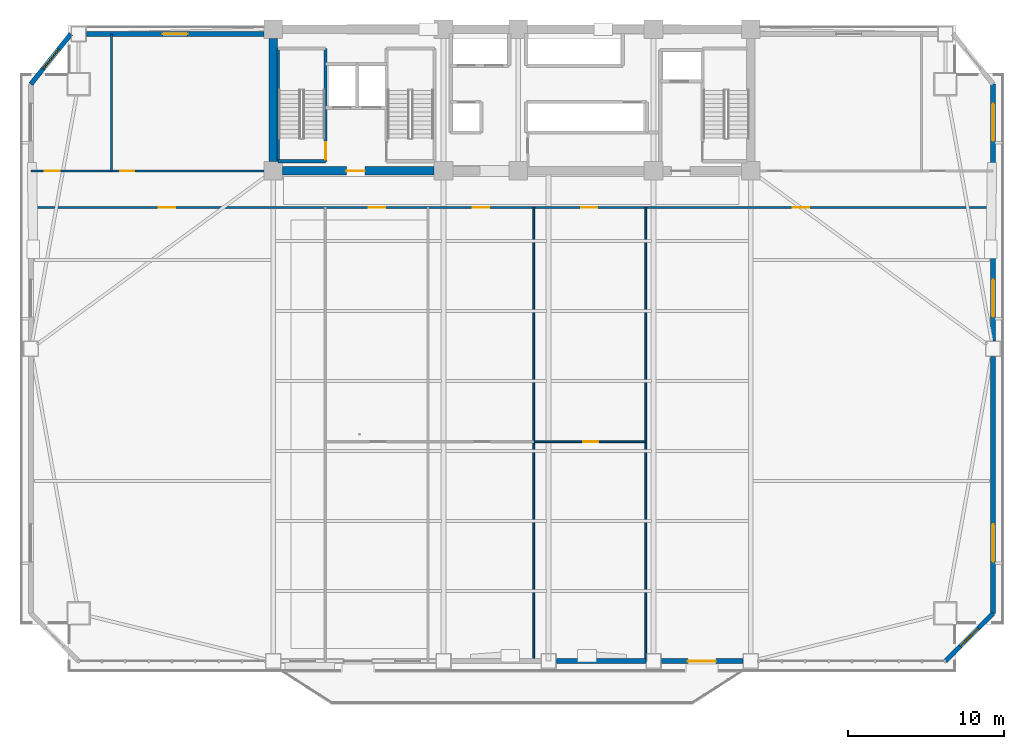
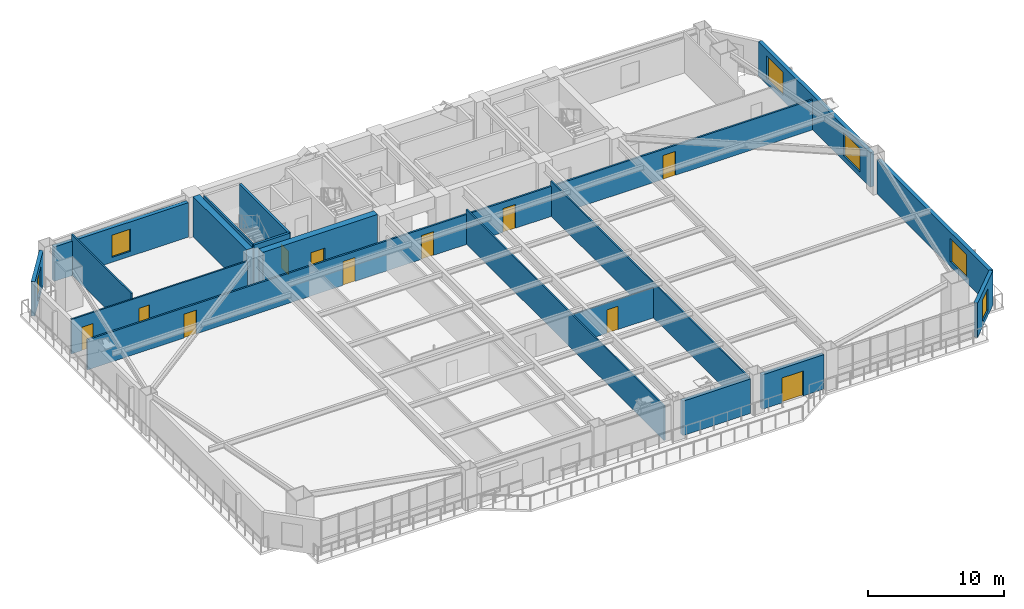
# One storey, part 8 of 16: 18 walls, 11 doors, 6 windows, 17 openings.
"""IFC4 building model written with IfcOpenShell, lengths in metres."""

import ifcopenshell
import ifcopenshell.guid

model = None  # the IFC model being written
_history = None  # IfcOwnerHistory: only IFC2X3 demands one
_inside = {}  # id of a spatial element -> (the spatial element, [elements in it])
_under = {}  # id of a project, library or spatial element -> (it, [spatial elements below it])
_declared = {}  # id of a project -> (the project, [libraries it declares])
_typed = {}  # id of a type object -> (the type object, [elements of that type])
_made_of = {}  # id of a material, layer set ... -> (it, [elements and type objects made of it])


def new_model(schema):
    """Start an empty IFC model of exactly this schema.

    Asked for "IFC4X3", IfcOpenShell would pick the latest addendum, in which some entities
    have other attributes; the version numbers below select the first issue.
    IFC2X3 requires an IfcOwnerHistory on every rooted entity: one is made here for all.
    """
    global model, _history
    if schema == "IFC4X3":
        model = ifcopenshell.file(schema_version=(4, 3, 0, 0))
    else:
        model = ifcopenshell.file(schema=schema)
    _inside.clear()
    _under.clear()
    _declared.clear()
    _typed.clear()
    _made_of.clear()
    _history = None
    if model.schema == "IFC2X3":
        org = make("IfcOrganization", Name="unknown")
        user = make(
            "IfcPersonAndOrganization",
            ThePerson=make("IfcPerson", FamilyName="unknown"),
            TheOrganization=org,
        )
        app = make(
            "IfcApplication",
            ApplicationDeveloper=org,
            Version="unknown",
            ApplicationFullName="unknown",
            ApplicationIdentifier="unknown",
        )
        _history = make(
            "IfcOwnerHistory",
            OwningUser=user,
            OwningApplication=app,
            ChangeAction="ADDED",
            CreationDate=0,
        )
    return model


def make(cls, **values):
    """One entity of the class cls with the attributes given. An attribute that is None is left unset."""
    return model.create_entity(
        cls, **{name: value for name, value in values.items() if value is not None}
    )


def rooted(cls, **values):
    """An entity with a GlobalId (a new one), such as an element, a storey or a relation."""
    return make(cls, GlobalId=ifcopenshell.guid.new(), OwnerHistory=_history, **values)


def si_unit(unit_type, name, prefix=None):
    """IfcSIUnit, for example si_unit("LENGTHUNIT", "METRE", prefix="MILLI")."""
    return make("IfcSIUnit", UnitType=unit_type, Prefix=prefix, Name=name)


def assignment(units):
    """IfcUnitAssignment: the units of a project."""
    return None if units is None else make("IfcUnitAssignment", Units=units)


def point(xyz):
    """IfcCartesianPoint."""
    return None if xyz is None else make("IfcCartesianPoint", Coordinates=xyz)


def direction(xyz):
    """IfcDirection."""
    return None if xyz is None else make("IfcDirection", DirectionRatios=xyz)


def frame(location, z_axis=None, x_axis=None):
    """IfcAxis2Placement3D, a coordinate frame: its origin and axes. An axis left out is left unset."""
    return make(
        "IfcAxis2Placement3D",
        Location=point(location),
        Axis=direction(z_axis),
        RefDirection=direction(x_axis),
    )


def frame_2d(location, x_axis=None):
    """IfcAxis2Placement2D, a coordinate frame in the plane: its origin and x axis."""
    return make(
        "IfcAxis2Placement2D", Location=point(location), RefDirection=direction(x_axis)
    )


def origin():
    """The frame at (0, 0, 0) with its axes left unset."""
    return frame((0.0, 0.0, 0.0))


def place(relative_to, where):
    """IfcLocalPlacement: puts the frame where relative to a parent placement (None: the world)."""
    return make(
        "IfcLocalPlacement", PlacementRelTo=relative_to, RelativePlacement=where
    )


def context(
    kind, dimensions, precision=None, world=None, true_north=None, identifier=None
):
    """IfcGeometricRepresentationContext, for example the 3D "Model" context."""
    return make(
        "IfcGeometricRepresentationContext",
        ContextIdentifier=identifier,
        ContextType=kind,
        CoordinateSpaceDimension=dimensions,
        Precision=precision,
        WorldCoordinateSystem=world,
        TrueNorth=true_north,
    )


def subcontext(parent, identifier, kind, view, scale=None):
    """IfcGeometricRepresentationSubContext, for example "Body" below "Model"."""
    return make(
        "IfcGeometricRepresentationSubContext",
        ContextIdentifier=identifier,
        ContextType=kind,
        ParentContext=parent,
        TargetScale=scale,
        TargetView=view,
    )


def project(units=None, contexts=None):
    """IfcProject with its units and contexts."""
    return rooted(
        "IfcProject",
        Name="project",
        RepresentationContexts=contexts,
        UnitsInContext=assignment(units),
    )


def spatial(cls, under=None, at=None, **own):
    """A site, building, storey or space (cls), placed at a placement, below another one or the project."""
    s = rooted(cls, ObjectPlacement=at, **own)
    if under is not None:
        _under.setdefault(under.id(), (under, []))[1].append(s)
    return s


def profile(cls, at=None, kind="AREA", **sizes):
    """A parametric profile (cls). Its sizes go by their IFC names, for example OverallWidth=200.0."""
    return make(cls, ProfileType=kind, Position=at, **sizes)


def rectangle(**sizes):
    """IfcRectangleProfileDef."""
    return profile("IfcRectangleProfileDef", **sizes)


def extrude(swept, where, along, depth):
    """IfcExtrudedAreaSolid: the profile swept, set in the frame where, extruded along a direction by depth."""
    return make(
        "IfcExtrudedAreaSolid",
        SweptArea=swept,
        Position=where,
        ExtrudedDirection=direction(along),
        Depth=depth,
    )


def shape(context_of_items, identifier, shape_type, items):
    """IfcShapeRepresentation: the items that make up one representation, for example the "Body"."""
    return make(
        "IfcShapeRepresentation",
        ContextOfItems=context_of_items,
        RepresentationIdentifier=identifier,
        RepresentationType=shape_type,
        Items=items,
    )


def source(mapping_origin, context_of_items, identifier, shape_type, items):
    """IfcRepresentationMap: a shape defined once, which mapped items show again and again."""
    return make(
        "IfcRepresentationMap",
        MappingOrigin=mapping_origin,
        MappedRepresentation=shape(context_of_items, identifier, shape_type, items),
    )


def transform(
    local_origin,
    x_axis=None,
    y_axis=None,
    z_axis=None,
    scale=None,
    scale2=None,
    scale3=None,
    uniform=True,
):
    """IfcCartesianTransformationOperator3D, or its non-uniform kind. x_axis, y_axis, z_axis: its Axis1, 2, 3."""
    if uniform:
        return make(
            "IfcCartesianTransformationOperator3D",
            Axis1=direction(x_axis),
            Axis2=direction(y_axis),
            LocalOrigin=point(local_origin),
            Scale=scale,
            Axis3=direction(z_axis),
        )
    return make(
        "IfcCartesianTransformationOperator3DnonUniform",
        Axis1=direction(x_axis),
        Axis2=direction(y_axis),
        LocalOrigin=point(local_origin),
        Scale=scale,
        Axis3=direction(z_axis),
        Scale2=scale2,
        Scale3=scale3,
    )


def mapped(mapping_source, mapping_target):
    """IfcMappedItem: shows the shape of a source again, moved by a transform."""
    return make(
        "IfcMappedItem", MappingSource=mapping_source, MappingTarget=mapping_target
    )


def material(Name=None, Category=None):
    """IfcMaterial."""
    return make("IfcMaterial", Name=Name, Category=Category)


def layer(
    of_material, thickness, ventilated=None, Name=None, Category=None, Priority=None
):
    """IfcMaterialLayer: one layer of a wall or slab, of a material (None: an air gap)."""
    return make(
        "IfcMaterialLayer",
        Material=of_material,
        LayerThickness=thickness,
        IsVentilated=ventilated,
        Name=Name,
        Category=Category,
        Priority=Priority,
    )


def layer_set(layers, Name=None):
    """IfcMaterialLayerSet."""
    return make("IfcMaterialLayerSet", MaterialLayers=layers, LayerSetName=Name)


def made_of(thing, what):
    """Note that an element or type object is made of a material, layer set ...; save() writes the relation."""
    if what is not None:
        _made_of.setdefault(what.id(), (what, []))[1].append(thing)
    return thing


def type_object(cls, material=None, **own):
    """A type object (cls), such as IfcWallType, which elements share."""
    return made_of(rooted(cls, **own), material)


def element(
    cls,
    number,
    at=None,
    inside=None,
    cuts=None,
    type_object=None,
    material=None,
    context=None,
    identifier="Body",
    shape_type=None,
    held_by="IfcProductDefinitionShape",
    body=None,
    shapes=None,
    **own,
):
    """One element of the class cls, such as IfcWall. Its Tag is "e" and its number.

    at: its placement. inside: the storey or other place that contains it. cuts: it is an
    opening in that element (IfcRelVoidsElement). A single representation is given by context,
    identifier, shape_type and body (its items); several are given by shapes. held_by: the class
    of the entity that holds the representations. save() writes the other relations.
    """
    e = rooted(cls, Tag="e%d" % number, ObjectPlacement=at, **own)
    if body is not None:
        shapes = [shape(context, identifier, shape_type, body)]
    if shapes is not None:
        e.Representation = make(held_by, Representations=shapes)
    if inside is not None:
        _inside.setdefault(inside.id(), (inside, []))[1].append(e)
    if cuts is not None:
        rooted(
            "IfcRelVoidsElement", RelatingBuildingElement=cuts, RelatedOpeningElement=e
        )
    if type_object is not None:
        _typed.setdefault(type_object.id(), (type_object, []))[1].append(e)
    return made_of(e, material)


def fill(opening, filler):
    """IfcRelFillsElement: the door or window that sits in an opening."""
    return rooted(
        "IfcRelFillsElement",
        RelatingOpeningElement=opening,
        RelatedBuildingElement=filler,
    )


def aggregate(whole, parts):
    """IfcRelAggregates: a whole, such as a stair, and the parts it consists of."""
    return rooted("IfcRelAggregates", RelatingObject=whole, RelatedObjects=parts)


def save(model, path):
    """Write the relations noted so far, then the file.

    IfcRelAggregates (storeys below a building ...), IfcRelContainedInSpatialStructure (elements
    in a storey), IfcRelDefinesByType, IfcRelAssociatesMaterial and IfcRelDeclares: one each for
    every whole, place, type object, material and project.
    """
    for whole, parts in _under.values():
        aggregate(whole, parts)
    for where, things in _inside.values():
        rooted(
            "IfcRelContainedInSpatialStructure",
            RelatedElements=things,
            RelatingStructure=where,
        )
    for kind, things in _typed.values():
        rooted("IfcRelDefinesByType", RelatedObjects=things, RelatingType=kind)
    for what, things in _made_of.values():
        rooted("IfcRelAssociatesMaterial", RelatedObjects=things, RelatingMaterial=what)
    for by, libraries in _declared.values():
        rooted("IfcRelDeclares", RelatingContext=by, RelatedDefinitions=libraries)
    model.write(path)


model = new_model("IFC4")

# Units and contexts
model_context = context("Model", 3, precision=1e-05, world=origin(), true_north=direction((0.0, 1.0)))
body_context = subcontext(model_context, "Body", "Model", "MODEL_VIEW")
ifc_project = project(units=[si_unit("LENGTHUNIT", "METRE"), si_unit("AREAUNIT", "SQUARE_METRE"), si_unit("VOLUMEUNIT", "CUBIC_METRE"), si_unit("PLANEANGLEUNIT", "RADIAN"), si_unit("MASSUNIT", "GRAM", prefix="KILO")], contexts=[model_context])

# Site, building, storey
site_placement = place(None, origin())
site = spatial("IfcSite", under=ifc_project, at=site_placement, CompositionType="ELEMENT")
building_placement = place(site_placement, origin())
building = spatial("IfcBuilding", under=site, at=building_placement, Name="Giltprow Tower", CompositionType="ELEMENT")
storey_placement = place(building_placement, frame((0.0, 0.0, 91.300048828125)))
storey = spatial("IfcBuildingStorey", under=building, at=storey_placement, Name="L22", CompositionType="ELEMENT", Elevation=91.300048828125)

# Wall, opening, window
ifc_material_1 = material(Name="Precast concrete C40", Category="concrete")
ifc_layer_1 = layer(ifc_material_1, 0.300048828125, Name="Precast concrete C40")
ifc_layer_set_1 = layer_set([ifc_layer_1], Name="Precast concrete C40")
wall_type_1 = type_object("IfcWallType", Name="EW-NOTCH-CHAMFER-300", PredefinedType="SOLIDWALL", material=ifc_layer_set_1)
wall_1_placement = place(storey_placement, frame((63.055908203125, 5.93603515625, 0.0), z_axis=(0.0, 0.0, 1.0), x_axis=(0.707106781187, 0.707106781187, 0.0)))
wall_1 = element("IfcWall", 1, at=wall_1_placement, inside=storey, type_object=wall_type_1, Name="L22 Corner Notch Wall SE", PredefinedType="SOLIDWALL", context=body_context, shape_type="SweptSolid", body=[
    extrude(rectangle(XDim=4.341796875, YDim=0.300048828125, at=frame_2d((2.1708984375, 0.0))), origin(), (0.0, 0.0, 1.0), 3.099853515625),
])
opening_1_placement = place(wall_1_placement, frame((1.37109375, 0.0, 0.449951171875)))
opening_1 = element("IfcOpeningElement", 2, at=opening_1_placement, cuts=wall_1, Name="Opening WN17", PredefinedType="OPENING", context=body_context, shape_type="SweptSolid", body=[
    extrude(rectangle(XDim=1.60009765625, YDim=2.0, at=frame_2d((0.800048828125, 1.0))), frame((0.0, 0.159912109375, 0.0), z_axis=(0.0, -1.0, 0.0), x_axis=(1.0, 0.0, 0.0)), (0.0, 0.0, 1.0), 0.320068359375),
])
ifc_material_2 = material(Name="Insulated glass", Category="glass")
window_type_1 = type_object("IfcWindowType", Name="WN-COR-1600x2000", PartitioningType="SINGLE_PANEL", PredefinedType="WINDOW", material=ifc_material_2)
shared_shape_1 = source(origin(), body_context, "Body", "SweptSolid", [
    extrude(rectangle(XDim=1.60009765625, YDim=2.0, at=frame_2d((0.800048828125, 1.0))), frame((0.0, 0.030029296875, 0.0), z_axis=(0.0, -1.0, 0.0), x_axis=(1.0, 0.0, 0.0)), (0.0, 0.0, 1.0), 0.06005859375),
])
window_1_placement = place(opening_1_placement, origin())
window_1 = element("IfcWindow", 3, at=window_1_placement, inside=storey, type_object=window_type_1, Name="L22 Corner Notch Window SE", OverallHeight=2.0, OverallWidth=1.60009765625, PartitioningType="SINGLE_PANEL", PredefinedType="WINDOW", context=body_context, shape_type="MappedRepresentation", body=[
    mapped(shared_shape_1, transform((0.0, 0.0, 0.0), x_axis=(1.0, 0.0, 0.0), y_axis=(0.0, 1.0, 0.0), z_axis=(0.0, 0.0, 1.0), scale=1.0)),
])
fill(opening_1, window_1)

wall_2_placement = place(storey_placement, frame((6.844970703125, 46.25, 0.0), z_axis=(0.0, 0.0, 1.0), x_axis=(-0.623820223262, -0.781567865926, 0.0)))
wall_2 = element("IfcWall", 4, at=wall_2_placement, inside=storey, type_object=wall_type_1, Name="L22 Corner Notch Wall NW", PredefinedType="SOLIDWALL", context=body_context, shape_type="SweptSolid", body=[
    extrude(rectangle(XDim=4.119873046875, YDim=0.300048828125, at=frame_2d((2.06005859375, 0.0))), origin(), (0.0, 0.0, 1.0), 3.099853515625),
])
opening_2_placement = place(wall_2_placement, frame((1.260009765625, 0.0, 0.449951171875)))
opening_2 = element("IfcOpeningElement", 5, at=opening_2_placement, cuts=wall_2, Name="Opening WN17", PredefinedType="OPENING", context=body_context, shape_type="SweptSolid", body=[
    extrude(rectangle(XDim=1.60009765625, YDim=2.0, at=frame_2d((0.800048828125, 1.0))), frame((0.0, 0.159912109375, 0.0), z_axis=(0.0, -1.0, 0.0), x_axis=(1.0, 0.0, 0.0)), (0.0, 0.0, 1.0), 0.320068359375),
])
window_2_placement = place(opening_2_placement, origin())
window_2 = element("IfcWindow", 6, at=window_2_placement, inside=storey, type_object=window_type_1, Name="L22 Corner Notch Window NW", OverallHeight=2.0, OverallWidth=1.60009765625, PartitioningType="SINGLE_PANEL", PredefinedType="WINDOW", context=body_context, shape_type="MappedRepresentation", body=[
    mapped(shared_shape_1, transform((0.0, 0.0, 0.0), x_axis=(1.0, 0.0, 0.0), y_axis=(0.0, 1.0, 0.0), z_axis=(0.0, 0.0, 1.0), scale=1.0)),
])
fill(opening_2, window_2)

# Wall
ifc_layer_2 = layer(ifc_material_1, 0.320068359375, Name="Precast concrete C40")
ifc_layer_set_2 = layer_set([ifc_layer_2], Name="Precast concrete C40")
wall_type_2 = type_object("IfcWallType", Name="EW-TOW-STONE-320", PredefinedType="SOLIDWALL", material=ifc_layer_set_2)
wall_3_placement = place(storey_placement, frame((38.050048828125, 5.93603515625, 0.0), z_axis=(0.0, 0.0, 1.0), x_axis=(1.0, 0.0, 0.0)))
element("IfcWall", 7, at=wall_3_placement, inside=storey, type_object=wall_type_2, Name="L22 South Expressed Frame Wall 4", PredefinedType="SOLIDWALL", context=body_context, shape_type="SweptSolid", body=[
    extrude(rectangle(XDim=5.75, YDim=0.320068359375, at=frame_2d((2.875, 0.0))), origin(), (0.0, 0.0, 1.0), 3.099853515625),
])

# Wall, opening, door
wall_4_placement = place(storey_placement, frame((44.800048828125, 5.93603515625, 0.0), z_axis=(0.0, 0.0, 1.0), x_axis=(1.0, 0.0, 0.0)))
wall_4 = element("IfcWall", 8, at=wall_4_placement, inside=storey, type_object=wall_type_2, Name="L22 South Expressed Frame Wall 5", PredefinedType="SOLIDWALL", context=body_context, shape_type="SweptSolid", body=[
    extrude(rectangle(XDim=5.25, YDim=0.320068359375, at=frame_2d((2.625, 0.0))), origin(), (0.0, 0.0, 1.0), 3.099853515625),
])
opening_3_placement = place(wall_4_placement, frame((1.699951171875, 0.0, 0.0)))
opening_3 = element("IfcOpeningElement", 9, at=opening_3_placement, cuts=wall_4, Name="Opening ED25", PredefinedType="OPENING", context=body_context, shape_type="SweptSolid", body=[
    extrude(rectangle(XDim=1.800048828125, YDim=2.25, at=frame_2d((0.89990234375, 1.125))), frame((0.0, 0.169921875, 0.0), z_axis=(0.0, -1.0, 0.0), x_axis=(1.0, 0.0, 0.0)), (0.0, 0.0, 1.0), 0.340087890625),
])
ifc_material_3 = material(Name="Anodized bronze and glass", Category="glass")
door_type_1 = type_object("IfcDoorType", Name="DR-BALC-SLIDE-1800", OperationType="SLIDING_TO_LEFT", PredefinedType="DOOR", material=ifc_material_3)
shared_shape_2 = source(origin(), body_context, "Body", "SweptSolid", [
    extrude(rectangle(XDim=1.800048828125, YDim=2.25, at=frame_2d((0.89990234375, 1.125))), frame((0.0, 0.02490234375, 0.0), z_axis=(0.0, -1.0, 0.0), x_axis=(1.0, 0.0, 0.0)), (0.0, 0.0, 1.0), 0.050048828125),
])
door_1_placement = place(opening_3_placement, origin())
door_1 = element("IfcDoor", 10, at=door_1_placement, inside=storey, type_object=door_type_1, Name="L22 Waterfront Balcony Sliding Door 2", OperationType="SLIDING_TO_LEFT", OverallHeight=2.25, OverallWidth=1.800048828125, PredefinedType="DOOR", context=body_context, shape_type="MappedRepresentation", body=[
    mapped(shared_shape_2, transform((0.0, 0.0, 0.0), x_axis=(1.0, 0.0, 0.0), y_axis=(0.0, 1.0, 0.0), z_axis=(0.0, 0.0, 1.0), scale=1.0)),
])
fill(opening_3, door_1)

# Wall, opening, window
wall_5_placement = place(storey_placement, frame((66.1259765625, 9.006103515625, 0.0), z_axis=(0.0, 0.0, 1.0), x_axis=(0.0, 1.0, 0.0)))
wall_5 = element("IfcWall", 11, at=wall_5_placement, inside=storey, type_object=wall_type_2, Name="L22 E Wing Masonry Wall 1", PredefinedType="SOLIDWALL", context=body_context, shape_type="SweptSolid", body=[
    extrude(rectangle(XDim=16.511962890625, YDim=0.320068359375, at=frame_2d((8.255859375, 0.0))), origin(), (0.0, 0.0, 1.0), 3.099853515625),
])
opening_4_placement = place(wall_5_placement, frame((3.3330078125, 0.0, 0.449951171875)))
opening_4 = element("IfcOpeningElement", 12, at=opening_4_placement, cuts=wall_5, Name="Opening WN29", PredefinedType="OPENING", context=body_context, shape_type="SweptSolid", body=[
    extrude(rectangle(XDim=2.39990234375, YDim=2.10009765625, at=frame_2d((1.199951171875, 1.050048828125))), frame((0.0, 0.169921875, 0.0), z_axis=(0.0, -1.0, 0.0), x_axis=(1.0, 0.0, 0.0)), (0.0, 0.0, 1.0), 0.340087890625),
])
window_type_2 = type_object("IfcWindowType", Name="WN-OFF-2400x2100", PartitioningType="DOUBLE_PANEL_VERTICAL", PredefinedType="WINDOW", material=ifc_material_2)
shared_shape_3 = source(origin(), body_context, "Body", "SweptSolid", [
    extrude(rectangle(XDim=2.39990234375, YDim=2.10009765625, at=frame_2d((1.199951171875, 1.050048828125))), frame((0.0, 0.030029296875, 0.0), z_axis=(0.0, -1.0, 0.0), x_axis=(1.0, 0.0, 0.0)), (0.0, 0.0, 1.0), 0.06005859375),
])
window_3_placement = place(opening_4_placement, origin())
window_3 = element("IfcWindow", 13, at=window_3_placement, inside=storey, type_object=window_type_2, Name="L22 E Wing Window 1-1A", OverallHeight=2.10009765625, OverallWidth=2.39990234375, PartitioningType="SINGLE_PANEL", PredefinedType="WINDOW", context=body_context, shape_type="MappedRepresentation", body=[
    mapped(shared_shape_3, transform((0.0, 0.0, 0.0), x_axis=(1.0, 0.0, 0.0), y_axis=(0.0, 1.0, 0.0), z_axis=(0.0, 0.0, 1.0), scale=1.0)),
])
fill(opening_4, window_3)

# Wall, openings, windows
wall_6_placement = place(storey_placement, frame((66.1259765625, 26.51806640625, 0.0), z_axis=(0.0, 0.0, 1.0), x_axis=(0.0, 1.0, 0.0)))
wall_6 = element("IfcWall", 14, at=wall_6_placement, inside=storey, type_object=wall_type_2, Name="L22 E Wing Masonry Wall 2", PredefinedType="SOLIDWALL", context=body_context, shape_type="SweptSolid", body=[
    extrude(rectangle(XDim=16.511962890625, YDim=0.320068359375, at=frame_2d((8.255859375, 0.0))), origin(), (0.0, 0.0, 1.0), 3.099853515625),
])
opening_5_placement = place(wall_6_placement, frame((1.544921875, 0.0, 0.449951171875)))
opening_5 = element("IfcOpeningElement", 15, at=opening_5_placement, cuts=wall_6, Name="Opening WN29", PredefinedType="OPENING", context=body_context, shape_type="SweptSolid", body=[
    extrude(rectangle(XDim=2.39990234375, YDim=2.10009765625, at=frame_2d((1.199951171875, 1.050048828125))), frame((0.0, 0.169921875, 0.0), z_axis=(0.0, -1.0, 0.0), x_axis=(1.0, 0.0, 0.0)), (0.0, 0.0, 1.0), 0.340087890625),
])
opening_6_placement = place(wall_6_placement, frame((12.85595703125, 0.0, 0.449951171875)))
opening_6 = element("IfcOpeningElement", 16, at=opening_6_placement, cuts=wall_6, Name="Opening WN29", PredefinedType="OPENING", context=body_context, shape_type="SweptSolid", body=[
    extrude(rectangle(XDim=2.39990234375, YDim=2.10009765625, at=frame_2d((1.199951171875, 1.050048828125))), frame((0.0, 0.169921875, 0.0), z_axis=(0.0, -1.0, 0.0), x_axis=(1.0, 0.0, 0.0)), (0.0, 0.0, 1.0), 0.340087890625),
])
window_4_placement = place(opening_5_placement, origin())
window_4 = element("IfcWindow", 17, at=window_4_placement, inside=storey, type_object=window_type_2, Name="L22 E Wing Window 2-1", OverallHeight=2.10009765625, OverallWidth=2.39990234375, PartitioningType="SINGLE_PANEL", PredefinedType="WINDOW", context=body_context, shape_type="MappedRepresentation", body=[
    mapped(shared_shape_3, transform((0.0, 0.0, 0.0), x_axis=(1.0, 0.0, 0.0), y_axis=(0.0, 1.0, 0.0), z_axis=(0.0, 0.0, 1.0), scale=1.0)),
])
fill(opening_5, window_4)
window_5_placement = place(opening_6_placement, origin())
window_5 = element("IfcWindow", 18, at=window_5_placement, inside=storey, type_object=window_type_2, Name="L22 E Wing Window 2-2", OverallHeight=2.10009765625, OverallWidth=2.39990234375, PartitioningType="SINGLE_PANEL", PredefinedType="WINDOW", context=body_context, shape_type="MappedRepresentation", body=[
    mapped(shared_shape_3, transform((0.0, 0.0, 0.0), x_axis=(1.0, 0.0, 0.0), y_axis=(0.0, 1.0, 0.0), z_axis=(0.0, 0.0, 1.0), scale=1.0)),
])
fill(opening_6, window_5)

# Wall, opening, window
wall_7_placement = place(storey_placement, frame((7.844970703125, 46.25, 0.0), z_axis=(0.0, 0.0, 1.0), x_axis=(1.0, 0.0, 0.0)))
wall_7 = element("IfcWall", 19, at=wall_7_placement, inside=storey, type_object=wall_type_2, Name="L22 North-West Wing Wall", PredefinedType="SOLIDWALL", context=body_context, shape_type="SweptSolid", body=[
    extrude(rectangle(XDim=11.405029296875, YDim=0.320068359375, at=frame_2d((5.70263671875, 0.0))), origin(), (0.0, 0.0, 1.0), 3.099853515625),
])
opening_7_placement = place(wall_7_placement, frame((4.903076171875, 0.0, 0.449951171875)))
opening_7 = element("IfcOpeningElement", 20, at=opening_7_placement, cuts=wall_7, Name="Opening WN17", PredefinedType="OPENING", context=body_context, shape_type="SweptSolid", body=[
    extrude(rectangle(XDim=1.60009765625, YDim=2.0, at=frame_2d((0.800048828125, 1.0))), frame((0.0, 0.169921875, 0.0), z_axis=(0.0, -1.0, 0.0), x_axis=(1.0, 0.0, 0.0)), (0.0, 0.0, 1.0), 0.340087890625),
])
window_6_placement = place(opening_7_placement, origin())
window_6 = element("IfcWindow", 21, at=window_6_placement, inside=storey, type_object=window_type_1, Name="L22 North-West Window", OverallHeight=2.0, OverallWidth=1.60009765625, PartitioningType="SINGLE_PANEL", PredefinedType="WINDOW", context=body_context, shape_type="MappedRepresentation", body=[
    mapped(shared_shape_1, transform((0.0, 0.0, 0.0), x_axis=(1.0, 0.0, 0.0), y_axis=(0.0, 1.0, 0.0), z_axis=(0.0, 0.0, 1.0), scale=1.0)),
])
fill(opening_7, window_6)

# Wall, openings, doors
ifc_material_4 = material(Name="Gypsum stud partition", Category="gypsum")
ifc_layer_3 = layer(ifc_material_4, 0.14990234375, Name="Gypsum stud partition")
ifc_layer_set_3 = layer_set([ifc_layer_3], Name="Gypsum stud partition")
wall_type_3 = type_object("IfcWallType", Name="IW-CORR-150", PredefinedType="PARTITIONING", material=ifc_layer_set_3)
wall_8_placement = place(storey_placement, frame((4.27490234375, 35.10009765625, 0.0), z_axis=(0.0, 0.0, 1.0), x_axis=(1.0, 0.0, 0.0)))
wall_8 = element("IfcWall", 22, at=wall_8_placement, inside=storey, type_object=wall_type_3, Name="L22 Office Loop Corridor Wall", PredefinedType="PARTITIONING", context=body_context, shape_type="SweptSolid", body=[
    extrude(rectangle(XDim=61.85107421875, YDim=0.14990234375, at=frame_2d((30.925537109375, 0.0))), origin(), (0.0, 0.0, 1.0), 2.704833984375),
])
opening_8_placement = place(wall_8_placement, frame((8.22705078125, 0.0, 0.0)))
opening_8 = element("IfcOpeningElement", 23, at=opening_8_placement, cuts=wall_8, Name="Opening ID31", PredefinedType="OPENING", context=body_context, shape_type="SweptSolid", body=[
    extrude(rectangle(XDim=1.050048828125, YDim=2.14990234375, at=frame_2d((0.52490234375, 1.074951171875))), frame((0.0, 0.0849609375, 0.0), z_axis=(0.0, -1.0, 0.0), x_axis=(1.0, 0.0, 0.0)), (0.0, 0.0, 1.0), 0.169921875),
])
opening_9_placement = place(wall_8_placement, frame((21.73095703125, 0.0, 0.0)))
opening_9 = element("IfcOpeningElement", 24, at=opening_9_placement, cuts=wall_8, Name="Opening ID31", PredefinedType="OPENING", context=body_context, shape_type="SweptSolid", body=[
    extrude(rectangle(XDim=1.050048828125, YDim=2.14990234375, at=frame_2d((0.52490234375, 1.074951171875))), frame((0.0, 0.0849609375, 0.0), z_axis=(0.0, -1.0, 0.0), x_axis=(1.0, 0.0, 0.0)), (0.0, 0.0, 1.0), 0.169921875),
])
opening_10_placement = place(wall_8_placement, frame((28.410888671875, 0.0, 0.0)))
opening_10 = element("IfcOpeningElement", 25, at=opening_10_placement, cuts=wall_8, Name="Opening ID31", PredefinedType="OPENING", context=body_context, shape_type="SweptSolid", body=[
    extrude(rectangle(XDim=1.050048828125, YDim=2.14990234375, at=frame_2d((0.52490234375, 1.074951171875))), frame((0.0, 0.0849609375, 0.0), z_axis=(0.0, -1.0, 0.0), x_axis=(1.0, 0.0, 0.0)), (0.0, 0.0, 1.0), 0.169921875),
])
opening_11_placement = place(wall_8_placement, frame((35.37109375, 0.0, 0.0)))
opening_11 = element("IfcOpeningElement", 26, at=opening_11_placement, cuts=wall_8, Name="Opening ID31", PredefinedType="OPENING", context=body_context, shape_type="SweptSolid", body=[
    extrude(rectangle(XDim=1.050048828125, YDim=2.14990234375, at=frame_2d((0.52490234375, 1.074951171875))), frame((0.0, 0.0849609375, 0.0), z_axis=(0.0, -1.0, 0.0), x_axis=(1.0, 0.0, 0.0)), (0.0, 0.0, 1.0), 0.169921875),
])
opening_12_placement = place(wall_8_placement, frame((48.98095703125, 0.0, 0.0)))
opening_12 = element("IfcOpeningElement", 27, at=opening_12_placement, cuts=wall_8, Name="Opening ID31", PredefinedType="OPENING", context=body_context, shape_type="SweptSolid", body=[
    extrude(rectangle(XDim=1.050048828125, YDim=2.14990234375, at=frame_2d((0.52490234375, 1.074951171875))), frame((0.0, 0.0849609375, 0.0), z_axis=(0.0, -1.0, 0.0), x_axis=(1.0, 0.0, 0.0)), (0.0, 0.0, 1.0), 0.169921875),
])
ifc_material_5 = material(Name="Engineered timber", Category="wood")
door_type_2 = type_object("IfcDoorType", Name="DR-SUITE-1050", OperationType="SINGLE_SWING_LEFT", PredefinedType="DOOR", material=ifc_material_5)
shared_shape_4 = source(origin(), body_context, "Body", "SweptSolid", [
    extrude(rectangle(XDim=1.050048828125, YDim=2.14990234375, at=frame_2d((0.52490234375, 1.074951171875))), frame((0.0, 0.02490234375, 0.0), z_axis=(0.0, -1.0, 0.0), x_axis=(1.0, 0.0, 0.0)), (0.0, 0.0, 1.0), 0.050048828125),
])
door_2_placement = place(opening_8_placement, origin())
door_2 = element("IfcDoor", 28, at=door_2_placement, inside=storey, type_object=door_type_2, Name="L22 Barista Test Kitchen 1 Door", OperationType="SINGLE_SWING_RIGHT", OverallHeight=2.14990234375, OverallWidth=1.050048828125, PredefinedType="DOOR", context=body_context, shape_type="MappedRepresentation", body=[
    mapped(shared_shape_4, transform((0.0, 0.0, 0.0), x_axis=(1.0, 0.0, 0.0), y_axis=(0.0, 1.0, 0.0), z_axis=(0.0, 0.0, 1.0), scale=1.0)),
])
fill(opening_8, door_2)
door_3_placement = place(opening_9_placement, origin())
door_3 = element("IfcDoor", 29, at=door_3_placement, inside=storey, type_object=door_type_2, Name="L22 Suite Reception Foyer Door", OperationType="SINGLE_SWING_LEFT", OverallHeight=2.14990234375, OverallWidth=1.050048828125, PredefinedType="DOOR", context=body_context, shape_type="MappedRepresentation", body=[
    mapped(shared_shape_4, transform((0.0, 0.0, 0.0), x_axis=(1.0, 0.0, 0.0), y_axis=(0.0, 1.0, 0.0), z_axis=(0.0, 0.0, 1.0), scale=1.0)),
])
fill(opening_9, door_3)
door_4_placement = place(opening_10_placement, origin())
door_4 = element("IfcDoor", 30, at=door_4_placement, inside=storey, type_object=door_type_2, Name="L22 Suite Reception Foyer Door", OperationType="SINGLE_SWING_LEFT", OverallHeight=2.14990234375, OverallWidth=1.050048828125, PredefinedType="DOOR", context=body_context, shape_type="MappedRepresentation", body=[
    mapped(shared_shape_4, transform((0.0, 0.0, 0.0), x_axis=(1.0, 0.0, 0.0), y_axis=(0.0, 1.0, 0.0), z_axis=(0.0, 0.0, 1.0), scale=1.0)),
])
fill(opening_10, door_4)
door_5_placement = place(opening_11_placement, origin())
door_5 = element("IfcDoor", 31, at=door_5_placement, inside=storey, type_object=door_type_2, Name="L22 Suite Reception Foyer Door", OperationType="SINGLE_SWING_LEFT", OverallHeight=2.14990234375, OverallWidth=1.050048828125, PredefinedType="DOOR", context=body_context, shape_type="MappedRepresentation", body=[
    mapped(shared_shape_4, transform((0.0, 0.0, 0.0), x_axis=(1.0, 0.0, 0.0), y_axis=(0.0, 1.0, 0.0), z_axis=(0.0, 0.0, 1.0), scale=1.0)),
])
fill(opening_11, door_5)
door_6_placement = place(opening_12_placement, origin())
door_6 = element("IfcDoor", 32, at=door_6_placement, inside=storey, type_object=door_type_2, Name="L22 Harbour Reading Lounge Door", OperationType="SINGLE_SWING_LEFT", OverallHeight=2.14990234375, OverallWidth=1.050048828125, PredefinedType="DOOR", context=body_context, shape_type="MappedRepresentation", body=[
    mapped(shared_shape_4, transform((0.0, 0.0, 0.0), x_axis=(1.0, 0.0, 0.0), y_axis=(0.0, 1.0, 0.0), z_axis=(0.0, 0.0, 1.0), scale=1.0)),
])
fill(opening_12, door_6)

# Wall
ifc_layer_4 = layer(ifc_material_4, 0.1201171875, Name="Gypsum stud partition")
ifc_layer_set_4 = layer_set([ifc_layer_4], Name="Gypsum stud partition")
wall_type_4 = type_object("IfcWallType", Name="IW-ROOM-120", PredefinedType="PARTITIONING", material=ifc_layer_set_4)
wall_9_placement = place(storey_placement, frame((36.60009765625, 5.93603515625, 0.0), z_axis=(0.0, 0.0, 1.0), x_axis=(0.0, 1.0, 0.0)))
element("IfcWall", 33, at=wall_9_placement, inside=storey, type_object=wall_type_4, Name="L22 Office Partition 3", PredefinedType="PARTITIONING", context=body_context, shape_type="SweptSolid", body=[
    extrude(rectangle(XDim=29.1640625, YDim=0.1201171875, at=frame_2d((14.58203125, 0.0))), origin(), (0.0, 0.0, 1.0), 3.10498046875),
])

# Wall, opening, door
wall_10_placement = place(storey_placement, frame((36.60009765625, 20.0390625, 0.0), z_axis=(0.0, 0.0, 1.0), x_axis=(1.0, 0.0, 0.0)))
wall_10 = element("IfcWall", 34, at=wall_10_placement, inside=storey, type_object=wall_type_4, Name="L22 Office Mid Wall 4", PredefinedType="PARTITIONING", context=body_context, shape_type="SweptSolid", body=[
    extrude(rectangle(XDim=7.199951171875, YDim=0.1201171875, at=frame_2d((3.60009765625, 0.0))), origin(), (0.0, 0.0, 1.0), 2.704833984375),
])
opening_13_placement = place(wall_10_placement, frame((3.18701171875, 0.0, 0.0)))
opening_13 = element("IfcOpeningElement", 35, at=opening_13_placement, cuts=wall_10, Name="Opening ID11", PredefinedType="OPENING", context=body_context, shape_type="SweptSolid", body=[
    extrude(rectangle(XDim=0.949951171875, YDim=2.10009765625, at=frame_2d((0.47509765625, 1.050048828125))), frame((0.0, 0.070068359375, 0.0), z_axis=(0.0, -1.0, 0.0), x_axis=(1.0, 0.0, 0.0)), (0.0, 0.0, 1.0), 0.14013671875),
])
door_type_3 = type_object("IfcDoorType", Name="DR-ROOM-950", OperationType="SINGLE_SWING_RIGHT", PredefinedType="DOOR", material=ifc_material_5)
shared_shape_5 = source(origin(), body_context, "Body", "SweptSolid", [
    extrude(rectangle(XDim=0.949951171875, YDim=2.10009765625, at=frame_2d((0.47509765625, 1.050048828125))), frame((0.0, 0.02490234375, 0.0), z_axis=(0.0, -1.0, 0.0), x_axis=(1.0, 0.0, 0.0)), (0.0, 0.0, 1.0), 0.050048828125),
])
door_7_placement = place(opening_13_placement, origin())
door_7 = element("IfcDoor", 36, at=door_7_placement, inside=storey, type_object=door_type_3, Name="L22 Tea Ceremony Kitchen 4 Inner Door", OperationType="SINGLE_SWING_RIGHT", OverallHeight=2.10009765625, OverallWidth=0.949951171875, PredefinedType="DOOR", context=body_context, shape_type="MappedRepresentation", body=[
    mapped(shared_shape_5, transform((0.0, 0.0, 0.0), x_axis=(1.0, 0.0, 0.0), y_axis=(0.0, 1.0, 0.0), z_axis=(0.0, 0.0, 1.0), scale=1.0)),
])
fill(opening_13, door_7)

# Walls
wall_11_placement = place(storey_placement, frame((43.800048828125, 5.93603515625, 0.0), z_axis=(0.0, 0.0, 1.0), x_axis=(0.0, 1.0, 0.0)))
element("IfcWall", 37, at=wall_11_placement, inside=storey, type_object=wall_type_4, Name="L22 Office Partition 4", PredefinedType="PARTITIONING", context=body_context, shape_type="SweptSolid", body=[
    extrude(rectangle(XDim=29.1640625, YDim=0.1201171875, at=frame_2d((14.58203125, 0.0))), origin(), (0.0, 0.0, 1.0), 3.155029296875),
])
ifc_material_6 = material(Name="Concrete C45", Category="concrete")
ifc_layer_5 = layer(ifc_material_6, 0.139892578125, Name="Concrete C45")
ifc_layer_set_5 = layer_set([ifc_layer_5], Name="Concrete C45")
wall_type_5 = type_object("IfcWallType", Name="IW-STAIR-140", PredefinedType="SOLIDWALL", material=ifc_layer_set_5)
wall_12_placement = place(storey_placement, frame((20.169921875, 38.070068359375, 0.0), z_axis=(0.0, 0.0, 1.0), x_axis=(0.0, 1.0, 0.0)))
element("IfcWall", 38, at=wall_12_placement, inside=storey, type_object=wall_type_5, Name="L22 Stair ST-1 West Bearing Wall", PredefinedType="SOLIDWALL", context=body_context, shape_type="SweptSolid", body=[
    extrude(rectangle(XDim=7.25, YDim=0.139892578125, at=frame_2d((3.625, 0.0))), origin(), (0.0, 0.0, 1.0), 3.89990234375),
])

# Wall, opening, door
ifc_material_7 = material(Name="Concrete C40", Category="concrete")
ifc_layer_6 = layer(ifc_material_7, 0.199951171875, Name="Concrete C40")
ifc_layer_set_6 = layer_set([ifc_layer_6], Name="Concrete C40")
wall_type_6 = type_object("IfcWallType", Name="IW-STAIR-200", PredefinedType="SOLIDWALL", material=ifc_layer_set_6)
wall_13_placement = place(storey_placement, frame((23.219970703125, 38.070068359375, 0.0), z_axis=(0.0, 0.0, 1.0), x_axis=(0.0, 1.0, 0.0)))
wall_13 = element("IfcWall", 39, at=wall_13_placement, inside=storey, type_object=wall_type_6, Name="L22 Stair ST-1 East Bearing Wall", PredefinedType="SOLIDWALL", context=body_context, shape_type="SweptSolid", body=[
    extrude(rectangle(XDim=7.25, YDim=0.199951171875, at=frame_2d((3.625, 0.0))), origin(), (0.0, 0.0, 1.0), 3.89990234375),
])
opening_14_placement = place(wall_13_placement, frame((0.110107421875, 0.0, 0.0)))
opening_14 = element("IfcOpeningElement", 40, at=opening_14_placement, cuts=wall_13, Name="Opening ID33", PredefinedType="OPENING", context=body_context, shape_type="SweptSolid", body=[
    extrude(rectangle(XDim=1.10009765625, YDim=2.14990234375, at=frame_2d((0.550048828125, 1.074951171875))), frame((0.0, 0.10986328125, 0.0), z_axis=(0.0, -1.0, 0.0), x_axis=(1.0, 0.0, 0.0)), (0.0, 0.0, 1.0), 0.219970703125),
])
ifc_material_8 = material(Name="Steel fire leaf", Category="steel")
door_type_4 = type_object("IfcDoorType", Name="DR-STAIR-1100", OperationType="SINGLE_SWING_LEFT", PredefinedType="DOOR", material=ifc_material_8)
shared_shape_6 = source(origin(), body_context, "Body", "SweptSolid", [
    extrude(rectangle(XDim=1.10009765625, YDim=2.14990234375, at=frame_2d((0.550048828125, 1.074951171875))), frame((0.0, 0.02490234375, 0.0), z_axis=(0.0, -1.0, 0.0), x_axis=(1.0, 0.0, 0.0)), (0.0, 0.0, 1.0), 0.050048828125),
])
door_8_placement = place(opening_14_placement, origin())
door_8 = element("IfcDoor", 41, at=door_8_placement, inside=storey, type_object=door_type_4, Name="L22 Stair ST-1 Fire Door", OperationType="SINGLE_SWING_RIGHT", OverallHeight=2.14990234375, OverallWidth=1.10009765625, PredefinedType="DOOR", context=body_context, shape_type="MappedRepresentation", body=[
    mapped(shared_shape_6, transform((0.0, 0.0, 0.0), x_axis=(1.0, 0.0, 0.0), y_axis=(0.0, 1.0, 0.0), z_axis=(0.0, 0.0, 1.0), scale=1.0)),
])
fill(opening_14, door_8)

# Wall
wall_14_placement = place(storey_placement, frame((20.169921875, 38.070068359375, 0.0), z_axis=(0.0, 0.0, 1.0), x_axis=(1.0, 0.0, 0.0)))
element("IfcWall", 42, at=wall_14_placement, inside=storey, type_object=wall_type_6, Name="L22 Stair ST-1 South Bearing Wall", PredefinedType="SOLIDWALL", context=body_context, shape_type="SweptSolid", body=[
    extrude(rectangle(XDim=3.050048828125, YDim=0.199951171875, at=frame_2d((1.52490234375, 0.0))), origin(), (0.0, 0.0, 1.0), 3.89990234375),
])

# Wall, openings, doors
ifc_material_9 = material(Name="Concrete C30", Category="concrete")
ifc_layer_7 = layer(ifc_material_9, 0.1298828125, Name="Concrete C30")
ifc_layer_set_7 = layer_set([ifc_layer_7], Name="Concrete C30")
wall_type_7 = type_object("IfcWallType", Name="IW-WET-130", PredefinedType="PARTITIONING", material=ifc_layer_set_7)
wall_15_placement = place(storey_placement, frame((4.27490234375, 37.449951171875, 0.0), z_axis=(0.0, 0.0, 1.0), x_axis=(1.0, 0.0, 0.0)))
wall_15 = element("IfcWall", 43, at=wall_15_placement, inside=storey, type_object=wall_type_7, Name="L22 NW Wing South Wall", PredefinedType="PARTITIONING", context=body_context, shape_type="SweptSolid", body=[
    extrude(rectangle(XDim=14.97509765625, YDim=0.1298828125, at=frame_2d((7.487548828125, 0.0))), origin(), (0.0, 0.0, 1.0), 3.10498046875),
])
opening_15_placement = place(wall_15_placement, frame((0.89990234375, 0.0, 0.0)))
opening_15 = element("IfcOpeningElement", 44, at=opening_15_placement, cuts=wall_15, Name="Opening ID11", PredefinedType="OPENING", context=body_context, shape_type="SweptSolid", body=[
    extrude(rectangle(XDim=0.949951171875, YDim=2.10009765625, at=frame_2d((0.47509765625, 1.050048828125))), frame((0.0, 0.074951171875, 0.0), z_axis=(0.0, -1.0, 0.0), x_axis=(1.0, 0.0, 0.0)), (0.0, 0.0, 1.0), 0.14990234375),
])
opening_16_placement = place(wall_15_placement, frame((5.739013671875, 0.0, 0.0)))
opening_16 = element("IfcOpeningElement", 45, at=opening_16_placement, cuts=wall_15, Name="Opening ID15", PredefinedType="OPENING", context=body_context, shape_type="SweptSolid", body=[
    extrude(rectangle(XDim=0.89990234375, YDim=2.10009765625, at=frame_2d((0.449951171875, 1.050048828125))), frame((0.0, 0.074951171875, 0.0), z_axis=(0.0, -1.0, 0.0), x_axis=(1.0, 0.0, 0.0)), (0.0, 0.0, 1.0), 0.14990234375),
])
door_type_5 = type_object("IfcDoorType", Name="DR-WC-900", OperationType="SINGLE_SWING_LEFT", PredefinedType="DOOR", material=ifc_material_5)
shared_shape_7 = source(origin(), body_context, "Body", "SweptSolid", [
    extrude(rectangle(XDim=0.89990234375, YDim=2.10009765625, at=frame_2d((0.449951171875, 1.050048828125))), frame((0.0, 0.02490234375, 0.0), z_axis=(0.0, -1.0, 0.0), x_axis=(1.0, 0.0, 0.0)), (0.0, 0.0, 1.0), 0.050048828125),
])
door_9_placement = place(opening_16_placement, origin())
door_9 = element("IfcDoor", 46, at=door_9_placement, inside=storey, type_object=door_type_5, Name="L22 NW Washroom Door", OperationType="SINGLE_SWING_LEFT", OverallHeight=2.10009765625, OverallWidth=0.89990234375, PredefinedType="DOOR", context=body_context, shape_type="MappedRepresentation", body=[
    mapped(shared_shape_7, transform((0.0, 0.0, 0.0), x_axis=(1.0, 0.0, 0.0), y_axis=(0.0, 1.0, 0.0), z_axis=(0.0, 0.0, 1.0), scale=1.0)),
])
fill(opening_16, door_9)
door_10_placement = place(opening_15_placement, origin())
door_10 = element("IfcDoor", 47, at=door_10_placement, inside=storey, type_object=door_type_3, Name="L22 West Tenant Office West Door", OperationType="SINGLE_SWING_RIGHT", OverallHeight=2.10009765625, OverallWidth=0.949951171875, PredefinedType="DOOR", context=body_context, shape_type="MappedRepresentation", body=[
    mapped(shared_shape_5, transform((0.0, 0.0, 0.0), x_axis=(1.0, 0.0, 0.0), y_axis=(0.0, 1.0, 0.0), z_axis=(0.0, 0.0, 1.0), scale=1.0)),
])
fill(opening_15, door_10)

# Wall
wall_16_placement = place(storey_placement, frame((9.464111328125, 37.449951171875, 0.0), z_axis=(0.0, 0.0, 1.0), x_axis=(0.0, 1.0, 0.0)))
element("IfcWall", 48, at=wall_16_placement, inside=storey, type_object=wall_type_7, Name="L22 NW Wing Divider", PredefinedType="PARTITIONING", context=body_context, shape_type="SweptSolid", body=[
    extrude(rectangle(XDim=8.800048828125, YDim=0.1298828125, at=frame_2d((4.39990234375, 0.0))), origin(), (0.0, 0.0, 1.0), 3.619873046875),
])

# Wall, opening, door
ifc_material_10 = material(Name="Concrete C60", Category="concrete")
ifc_layer_8 = layer(ifc_material_10, 0.550048828125, Name="Concrete C60")
ifc_layer_set_8 = layer_set([ifc_layer_8], Name="Concrete C60")
wall_type_8 = type_object("IfcWallType", Name="SW-INT-550-C60", PredefinedType="SHEAR", material=ifc_layer_set_8)
wall_17_placement = place(storey_placement, frame((20.449951171875, 37.449951171875, 0.0), z_axis=(0.0, 0.0, 1.0), x_axis=(1.0, 0.0, 0.0)))
wall_17 = element("IfcWall", 49, at=wall_17_placement, inside=storey, type_object=wall_type_8, Name="L22 South Rear Core Shear Wall West", PredefinedType="SHEAR", context=body_context, shape_type="SweptSolid", body=[
    extrude(rectangle(XDim=9.75, YDim=0.550048828125, at=frame_2d((4.875, 0.0))), origin(), (0.0, 0.0, 1.0), 3.619873046875),
])
opening_17_placement = place(wall_17_placement, frame((4.10009765625, 0.0, 0.0)))
opening_17 = element("IfcOpeningElement", 50, at=opening_17_placement, cuts=wall_17, Name="Opening ID19", PredefinedType="OPENING", context=body_context, shape_type="SweptSolid", body=[
    extrude(rectangle(XDim=1.199951171875, YDim=2.14990234375, at=frame_2d((0.60009765625, 1.074951171875))), frame((0.0, 0.284912109375, 0.0), z_axis=(0.0, -1.0, 0.0), x_axis=(1.0, 0.0, 0.0)), (0.0, 0.0, 1.0), 0.570068359375),
])
door_type_6 = type_object("IfcDoorType", Name="DR-FFLOBBY-1200", OperationType="SINGLE_SWING_RIGHT", PredefinedType="DOOR", material=ifc_material_8)
shared_shape_8 = source(origin(), body_context, "Body", "SweptSolid", [
    extrude(rectangle(XDim=1.199951171875, YDim=2.14990234375, at=frame_2d((0.60009765625, 1.074951171875))), frame((0.0, 0.02490234375, 0.0), z_axis=(0.0, -1.0, 0.0), x_axis=(1.0, 0.0, 0.0)), (0.0, 0.0, 1.0), 0.050048828125),
])
door_11_placement = place(opening_17_placement, origin())
door_11 = element("IfcDoor", 51, at=door_11_placement, inside=storey, type_object=door_type_6, Name="L22 West Firefighting Lobby Entry Door", OperationType="SINGLE_SWING_LEFT", OverallHeight=2.14990234375, OverallWidth=1.199951171875, PredefinedType="DOOR", context=body_context, shape_type="MappedRepresentation", body=[
    mapped(shared_shape_8, transform((0.0, 0.0, 0.0), x_axis=(1.0, 0.0, 0.0), y_axis=(0.0, 1.0, 0.0), z_axis=(0.0, 0.0, 1.0), scale=1.0)),
])
fill(opening_17, door_11)

# Wall
wall_18_placement = place(storey_placement, frame((19.85009765625, 38.050048828125, 0.0), z_axis=(0.0, 0.0, 1.0), x_axis=(0.0, 1.0, 0.0)))
element("IfcWall", 52, at=wall_18_placement, inside=storey, type_object=wall_type_8, Name="L22 W Rear Core Shear Wall", PredefinedType="SHEAR", context=body_context, shape_type="SweptSolid", body=[
    extrude(rectangle(XDim=7.89990234375, YDim=0.550048828125, at=frame_2d((3.949951171875, 0.0))), origin(), (0.0, 0.0, 1.0), 3.619873046875),
])

save(model, "model.ifc")
